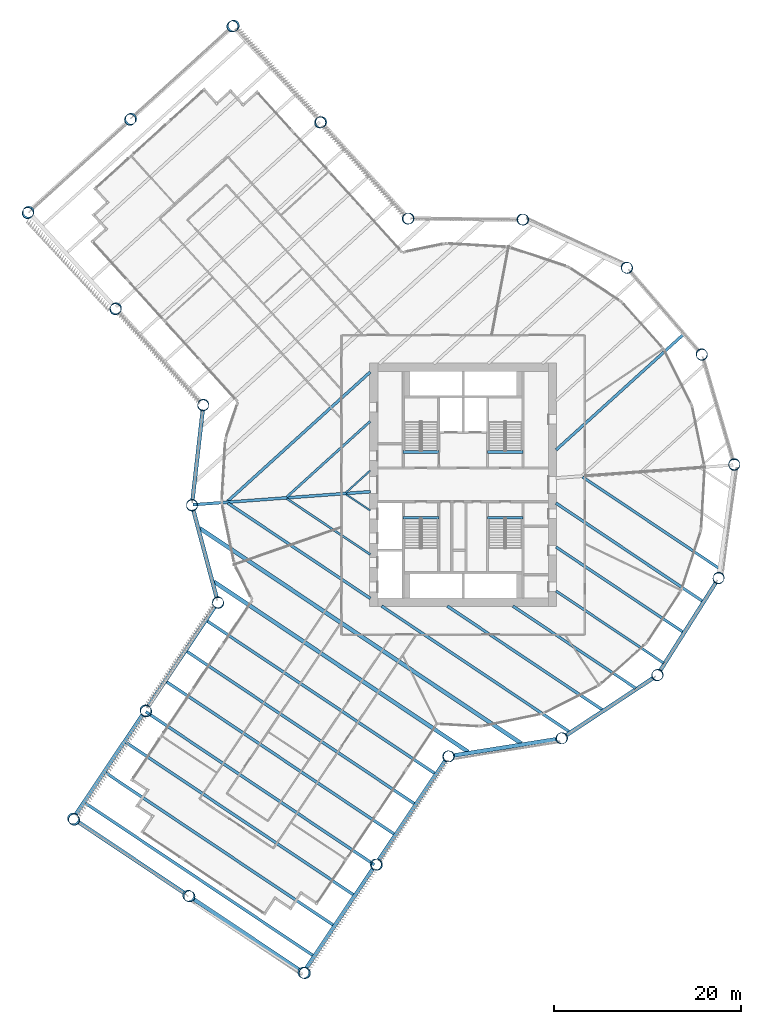
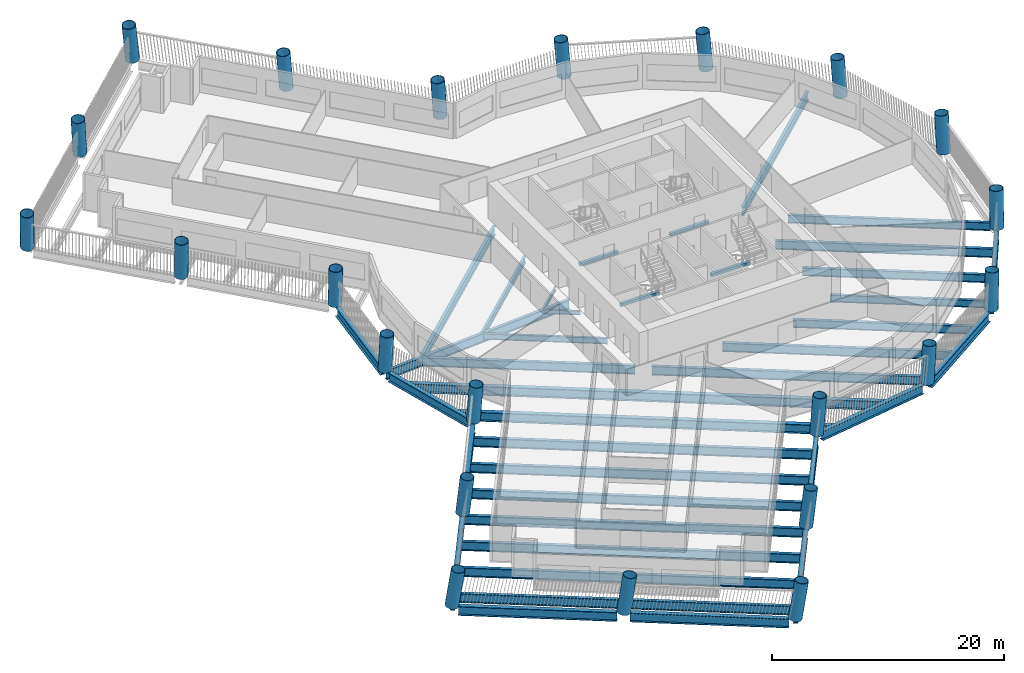
# One storey, part 1 of 15: 39 beams, 22 columns.
"""IFC4 building model written with IfcOpenShell, lengths in metres."""

from ifc_helpers import new_model, si_unit, direction, frame, origin, origin_2d, place, context, subcontext, project, spatial, rectangle, hollow_circle, i_section, extrude, material, material_profile, profile_set, type_object, element, save


model = new_model("IFC4")

# Units and contexts
model_context = context("Model", 3, precision=1e-05, world=origin(), true_north=direction((0.0, 1.0)))
body_context = subcontext(model_context, "Body", "Model", "MODEL_VIEW")
ifc_project = project(units=[si_unit("LENGTHUNIT", "METRE"), si_unit("AREAUNIT", "SQUARE_METRE"), si_unit("VOLUMEUNIT", "CUBIC_METRE"), si_unit("PLANEANGLEUNIT", "RADIAN"), si_unit("MASSUNIT", "GRAM", prefix="KILO")], contexts=[model_context])

# Site, building, storey
site_placement = place(None, origin())
site = spatial("IfcSite", under=ifc_project, at=site_placement, CompositionType="ELEMENT")
building_placement = place(site_placement, origin())
building = spatial("IfcBuilding", under=site, at=building_placement, Name="Tarsis Ring Headquarters", CompositionType="ELEMENT")
storey_placement = place(building_placement, frame((0.0, 0.0, 59.5)))
storey = spatial("IfcBuildingStorey", under=building, at=storey_placement, Name="L12", CompositionType="ELEMENT", Elevation=59.5)

# Columns
ifc_material_1 = material(Name="Structural steel S460", Category="steel")
ifc_material_profile_1 = material_profile(ifc_material_1, hollow_circle(Radius=0.609619140625, WallThickness=0.050048828125, at=origin_2d()), Name="CHS 1219x50")
ifc_profile_set_1 = profile_set([ifc_material_profile_1], Name="Structural steel S460")
column_type = type_object("IfcColumnType", Name="XC Exo column CHS 1219x50", PredefinedType="COLUMN", material=ifc_profile_set_1)
column_1_placement = place(storey_placement, frame((-28.970458984375, -2.12744140625, 0.000732421875), z_axis=(0.00611829829, -0.077540066087, 0.996970463242), x_axis=(0.996901462256, 0.078660501853, 0.0)))
element("IfcColumn", 1, at=column_1_placement, inside=storey, type_object=column_type, Name="Exo column XC1 F1", PredefinedType="COLUMN", context=body_context, shape_type="SweptSolid", body=[
    extrude(hollow_circle(Radius=0.609619140625, WallThickness=0.050048828125, at=origin_2d()), origin(), (0.0, 0.0, 1.0), 3.91064453125),
])
column_2_placement = place(storey_placement, frame((-26.203369140625, -12.537841796875, 0.000732421875), z_axis=(0.033900559908, -0.069923806809, 0.996976134759), x_axis=(0.899823664321, 0.436253794399, 0.0)))
element("IfcColumn", 2, at=column_2_placement, inside=storey, type_object=column_type, Name="Exo column XC1 AK", PredefinedType="COLUMN", context=body_context, shape_type="SweptSolid", body=[
    extrude(hollow_circle(Radius=0.609619140625, WallThickness=0.050048828125, at=origin_2d()), origin(), (0.0, 0.0, 1.0), 3.910400390625),
])
column_3_placement = place(storey_placement, frame((-33.937255859375, -24.09033203125, 0.000732421875), z_axis=(0.064789340242, -0.090244518109, 0.993809975972), x_axis=(0.812330538908, 0.58319730414, 0.0)))
element("IfcColumn", 3, at=column_3_placement, inside=storey, type_object=column_type, Name="Exo column XC1 AI1", PredefinedType="COLUMN", context=body_context, shape_type="SweptSolid", body=[
    extrude(hollow_circle(Radius=0.609619140625, WallThickness=0.050048828125, at=origin_2d()), origin(), (0.0, 0.0, 1.0), 3.922607421875),
])
column_4_placement = place(storey_placement, frame((-41.6708984375, -35.642822265625, 0.0009765625), z_axis=(0.095234234636, -0.110228824605, 0.989333132357), x_axis=(0.756698660833, 0.653763823328, 0.0)))
element("IfcColumn", 4, at=column_4_placement, inside=storey, type_object=column_type, Name="Exo column XC1 AT1", PredefinedType="COLUMN", context=body_context, shape_type="SweptSolid", body=[
    extrude(hollow_circle(Radius=0.609619140625, WallThickness=0.050048828125, at=origin_2d()), origin(), (0.0, 0.0, 1.0), 3.940185546875),
])
column_5_placement = place(storey_placement, frame((-29.372314453125, -43.8759765625, 0.0009765625), z_axis=(0.117072550589, -0.077510957753, 0.990093969948), x_axis=(0.552047554987, 0.833812627053, 0.0)))
element("IfcColumn", 5, at=column_5_placement, inside=storey, type_object=column_type, Name="Exo column XC1 AT2", PredefinedType="COLUMN", context=body_context, shape_type="SweptSolid", body=[
    extrude(hollow_circle(Radius=0.609619140625, WallThickness=0.050048828125, at=origin_2d()), origin(), (0.0, 0.0, 1.0), 3.937255859375),
])
column_6_placement = place(storey_placement, frame((-17.07373046875, -52.109130859375, 0.0009765625), z_axis=(0.138668637265, -0.04467385499, 0.989330710996), x_axis=(0.306642394046, 0.951824795944, 0.0)))
element("IfcColumn", 6, at=column_6_placement, inside=storey, type_object=column_type, Name="Exo column XC1 AT3", PredefinedType="COLUMN", context=body_context, shape_type="SweptSolid", body=[
    extrude(hollow_circle(Radius=0.609619140625, WallThickness=0.050048828125, at=origin_2d()), origin(), (0.0, 0.0, 1.0), 3.940185546875),
])
column_7_placement = place(storey_placement, frame((-9.340087890625, -40.556640625, 0.000732421875), z_axis=(0.108356125009, -0.024335005674, 0.993814247066), x_axis=(0.219125449234, 0.975696693393, 0.0)))
element("IfcColumn", 7, at=column_7_placement, inside=storey, type_object=column_type, Name="Exo column XC1 AO1", PredefinedType="COLUMN", context=body_context, shape_type="SweptSolid", body=[
    extrude(hollow_circle(Radius=0.609619140625, WallThickness=0.050048828125, at=origin_2d()), origin(), (0.0, 0.0, 1.0), 3.922607421875),
])
column_8_placement = place(storey_placement, frame((-1.606201171875, -29.004150390625, 0.000732421875), z_axis=(0.077665048588, -0.003870766087, 0.99697199429), x_axis=(0.049777444331, 0.998760334633, 0.0)))
element("IfcColumn", 8, at=column_8_placement, inside=storey, type_object=column_type, Name="Exo column XC1 AJ", PredefinedType="COLUMN", context=body_context, shape_type="SweptSolid", body=[
    extrude(hollow_circle(Radius=0.609619140625, WallThickness=0.050048828125, at=origin_2d()), origin(), (0.0, 0.0, 1.0), 3.91064453125),
])
column_9_placement = place(storey_placement, frame((10.49169921875, -27.087646484375, 0.000732421875), z_axis=(0.072358376131, 0.028468869298, 0.996972310992), x_axis=(-0.366124308865, 0.930565951697, 0.0)))
element("IfcColumn", 9, at=column_9_placement, inside=storey, type_object=column_type, Name="Exo column XC1 R1", PredefinedType="COLUMN", context=body_context, shape_type="SweptSolid", body=[
    extrude(hollow_circle(Radius=0.609619140625, WallThickness=0.050048828125, at=origin_2d()), origin(), (0.0, 0.0, 1.0), 3.910400390625),
])
column_10_placement = place(storey_placement, frame((20.72412109375, -20.35498046875, 0.000732421875), z_axis=(0.054253026882, 0.055751384356, 0.99696960446), x_axis=(-0.716671723151, 0.697410669001, 0.0)))
element("IfcColumn", 10, at=column_10_placement, inside=storey, type_object=column_type, Name="Exo column XC1 R2", PredefinedType="COLUMN", context=body_context, shape_type="SweptSolid", body=[
    extrude(hollow_circle(Radius=0.609619140625, WallThickness=0.050048828125, at=origin_2d()), origin(), (0.0, 0.0, 1.0), 3.91064453125),
])
column_11_placement = place(storey_placement, frame((27.27197265625, -10.0029296875, 0.000732421875), z_axis=(0.026346287592, 0.073107826469, 0.996975987093), x_axis=(-0.940774702556, 0.339032386404, 0.0)))
element("IfcColumn", 11, at=column_11_placement, inside=storey, type_object=column_type, Name="Exo column XC1 R3", PredefinedType="COLUMN", context=body_context, shape_type="SweptSolid", body=[
    extrude(hollow_circle(Radius=0.609619140625, WallThickness=0.050048828125, at=origin_2d()), origin(), (0.0, 0.0, 1.0), 3.910400390625),
])
for number, where, z_axis, x_axis, name in (
    (12, (28.970458984375, 2.12744140625, 0.000732421875), (-0.00611829829, 0.077540066087, 0.996970463242), (-0.996901462256, -0.078660501853, 0.0), "Exo column XC1 R4"),
    (13, (25.51806640625, 13.879638671875, 0.000732421875), (-0.037521450902, 0.068112983252, 0.996971796108), (-0.8758936542, -0.482504203643, 0.0), "Exo column XC1 R5"),
):
    element("IfcColumn", number, at=place(storey_placement, frame(where, z_axis=z_axis, x_axis=x_axis)), inside=storey, type_object=column_type, Name=name, PredefinedType="COLUMN", context=body_context, shape_type="SweptSolid", body=[
        extrude(hollow_circle(Radius=0.609619140625, WallThickness=0.050048828125, at=origin_2d()), origin(), (0.0, 0.0, 1.0), 3.91064453125),
    ])
column_12_placement = place(storey_placement, frame((17.5283203125, 23.1640625, 0.000732421875), z_axis=(-0.062244519667, 0.046574134074, 0.996973655523), x_axis=(-0.599100167439, -0.800674084366, 0.0)))
element("IfcColumn", 14, at=column_12_placement, inside=storey, type_object=column_type, Name="Exo column XC1 R6", PredefinedType="COLUMN", context=body_context, shape_type="SweptSolid", body=[
    extrude(hollow_circle(Radius=0.609619140625, WallThickness=0.050048828125, at=origin_2d()), origin(), (0.0, 0.0, 1.0), 3.910400390625),
])
for number, where, z_axis, x_axis, name in (
    (15, (6.422119140625, 28.329833984375, 0.000732421875), (-0.075979085879, 0.016794062532, 0.996967972391), (-0.215825939598, -0.976431853125, 0.0), "Exo column XC1 R7"),
    (16, (-5.826171875, 28.458251953125, 0.000732421875), (-0.076104238458, -0.015982514393, 0.996971766964), (0.205524923503, -0.978651881835, 0.0), "Exo column XC1 BJ"),
):
    element("IfcColumn", number, at=place(storey_placement, frame(where, z_axis=z_axis, x_axis=x_axis)), inside=storey, type_object=column_type, Name=name, PredefinedType="COLUMN", context=body_context, shape_type="SweptSolid", body=[
        extrude(hollow_circle(Radius=0.609619140625, WallThickness=0.050048828125, at=origin_2d()), origin(), (0.0, 0.0, 1.0), 3.91064453125),
    ])
column_13_placement = place(storey_placement, frame((-15.16455078125, 38.757080078125, 0.000732421875), z_axis=(-0.103252100046, -0.041014547276, 0.993809242636), x_axis=(0.369168152535, -0.929362617687, 0.0)))
element("IfcColumn", 17, at=column_13_placement, inside=storey, type_object=column_type, Name="Exo column XC1 BO1", PredefinedType="COLUMN", context=body_context, shape_type="SweptSolid", body=[
    extrude(hollow_circle(Radius=0.609619140625, WallThickness=0.050048828125, at=origin_2d()), origin(), (0.0, 0.0, 1.0), 3.922607421875),
])
column_14_placement = place(storey_placement, frame((-24.503173828125, 49.055908203125, 0.0009765625), z_axis=(-0.129932947469, -0.065802951937, 0.989336848944), x_axis=(0.451802294546, -0.892118090077, 0.0)))
element("IfcColumn", 18, at=column_14_placement, inside=storey, type_object=column_type, Name="Exo column XC1 BT3", PredefinedType="COLUMN", context=body_context, shape_type="SweptSolid", body=[
    extrude(hollow_circle(Radius=0.609619140625, WallThickness=0.050048828125, at=origin_2d()), origin(), (0.0, 0.0, 1.0), 3.940185546875),
])
column_15_placement = place(storey_placement, frame((-35.467041015625, 39.114501953125, 0.0009765625), z_axis=(-0.10349274679, -0.094873518627, 0.990095079689), x_axis=(0.67574462811, -0.737135806742, 0.0)))
element("IfcColumn", 19, at=column_15_placement, inside=storey, type_object=column_type, Name="Exo column XC1 BT2", PredefinedType="COLUMN", context=body_context, shape_type="SweptSolid", body=[
    extrude(hollow_circle(Radius=0.609619140625, WallThickness=0.050048828125, at=origin_2d()), origin(), (0.0, 0.0, 1.0), 3.937255859375),
])
column_16_placement = place(storey_placement, frame((-46.430908203125, 29.1728515625, 0.0009765625), z_axis=(-0.076832019436, -0.123736728076, 0.989336172853), x_axis=(0.849548132774, -0.527511108983, 0.0)))
element("IfcColumn", 20, at=column_16_placement, inside=storey, type_object=column_type, Name="Exo column XC1 BT1", PredefinedType="COLUMN", context=body_context, shape_type="SweptSolid", body=[
    extrude(hollow_circle(Radius=0.609619140625, WallThickness=0.050048828125, at=origin_2d()), origin(), (0.0, 0.0, 1.0), 3.940185546875),
])
column_17_placement = place(storey_placement, frame((-37.09228515625, 18.8740234375, 0.000732421875), z_axis=(-0.04985267805, -0.099207451699, 0.993817182393), x_axis=(0.893528500427, -0.449006479825, 0.0)))
element("IfcColumn", 21, at=column_17_placement, inside=storey, type_object=column_type, Name="Exo column XC1 BI1", PredefinedType="COLUMN", context=body_context, shape_type="SweptSolid", body=[
    extrude(hollow_circle(Radius=0.609619140625, WallThickness=0.050048828125, at=origin_2d()), origin(), (0.0, 0.0, 1.0), 3.922607421875),
])
column_18_placement = place(storey_placement, frame((-27.75390625, 8.5751953125, 0.000732421875), z_axis=(-0.022600256157, -0.074418523035, 0.996970968409), x_axis=(0.956848696238, -0.290586600703, 0.0)))
element("IfcColumn", 22, at=column_18_placement, inside=storey, type_object=column_type, Name="Exo column XC1 BK", PredefinedType="COLUMN", context=body_context, shape_type="SweptSolid", body=[
    extrude(hollow_circle(Radius=0.609619140625, WallThickness=0.050048828125, at=origin_2d()), origin(), (0.0, 0.0, 1.0), 3.91064453125),
])

# Beams
ifc_material_2 = material(Name="Structural steel S355", Category="steel")
ifc_material_profile_2 = material_profile(ifc_material_2, i_section(OverallWidth=0.177734375, OverallDepth=0.406494140625, WebThickness=0.0078125, FlangeThickness=0.0126953125, at=origin_2d()), Name="W16x40")
ifc_profile_set_2 = profile_set([ifc_material_profile_2], Name="Structural steel S355")
beam_type_1 = type_object("IfcBeamType", Name="FB Floor beam W16x40", PredefinedType="JOIST", material=ifc_profile_set_2)
beam_1_placement = place(storey_placement, frame((-12.50927734375, -1.01220703125, -0.36328125), z_axis=(0.830989225127, -0.556288511227, 0.0), x_axis=(0.556288511227, 0.830989225127, 0.0)))
element("IfcBeam", 23, at=beam_1_placement, inside=storey, type_object=beam_type_1, Name="Floor beam FB1", PredefinedType="JOIST", context=body_context, shape_type="SweptSolid", body=[
    extrude(i_section(OverallWidth=0.177734375, OverallDepth=0.406494140625, WebThickness=0.0078125, FlangeThickness=0.0126953125, at=origin_2d()), origin(), (0.0, 0.0, 1.0), 3.11962890625),
])
beam_2_placement = place(storey_placement, frame((-9.926025390625, 1.52880859375, -0.36328125), z_axis=(-0.740806073525, -0.671718960153, 0.0), x_axis=(0.671718960153, -0.740806073525, 0.0)))
element("IfcBeam", 24, at=beam_2_placement, inside=storey, type_object=beam_type_1, Name="Floor beam FB1", PredefinedType="JOIST", context=body_context, shape_type="SweptSolid", body=[
    extrude(i_section(OverallWidth=0.177734375, OverallDepth=0.406494140625, WebThickness=0.0078125, FlangeThickness=0.0126953125, at=origin_2d()), origin(), (0.0, 0.0, 1.0), 3.505615234375),
])
ifc_material_profile_3 = material_profile(ifc_material_2, i_section(OverallWidth=0.228271484375, OverallDepth=0.607177734375, WebThickness=0.01123046875, FlangeThickness=0.017333984375, at=origin_2d()), Name="W24x76")
ifc_profile_set_3 = profile_set([ifc_material_profile_3], Name="Structural steel S355")
beam_type_2 = type_object("IfcBeamType", Name="FB Floor beam W24x76", PredefinedType="JOIST", material=ifc_profile_set_3)
beam_3_placement = place(storey_placement, frame((-18.826904296875, -1.47607421875, -0.463623046875), z_axis=(0.830976817718, -0.556307045088, 0.0), x_axis=(0.556307045088, 0.830976817718, 0.0)))
element("IfcBeam", 25, at=beam_3_placement, inside=storey, type_object=beam_type_2, Name="Floor beam FB4", PredefinedType="JOIST", context=body_context, shape_type="SweptSolid", body=[
    extrude(i_section(OverallWidth=0.228271484375, OverallDepth=0.607177734375, WebThickness=0.01123046875, FlangeThickness=0.017333984375, at=origin_2d()), origin(), (0.0, 0.0, 1.0), 10.72216796875),
])
ifc_material_profile_4 = material_profile(ifc_material_2, i_section(OverallWidth=0.2529296875, OverallDepth=0.67822265625, WebThickness=0.01171875, FlangeThickness=0.016357421875, at=origin_2d()), Name="W27x84")
ifc_profile_set_4 = profile_set([ifc_material_profile_4], Name="Structural steel S355")
beam_type_3 = type_object("IfcBeamType", Name="FB Floor beam W27x84", PredefinedType="JOIST", material=ifc_profile_set_4)
beam_4_placement = place(storey_placement, frame((-9.926025390625, 6.79345703125, -0.4990234375), z_axis=(-0.740793222617, -0.67173313252, 0.0), x_axis=(0.67173313252, -0.740793222617, 0.0)))
element("IfcBeam", 26, at=beam_4_placement, inside=storey, type_object=beam_type_3, Name="Floor beam FB5", PredefinedType="JOIST", context=body_context, shape_type="SweptSolid", body=[
    extrude(i_section(OverallWidth=0.2529296875, OverallDepth=0.67822265625, WebThickness=0.01171875, FlangeThickness=0.016357421875, at=origin_2d()), origin(), (0.0, 0.0, 1.0), 12.03369140625),
])
ifc_material_profile_5 = material_profile(ifc_material_2, i_section(OverallWidth=0.2666015625, OverallDepth=0.7568359375, WebThickness=0.013916015625, FlangeThickness=0.019287109375, at=origin_2d()), Name="W30x108")
ifc_profile_set_5 = profile_set([ifc_material_profile_5], Name="Structural steel S355")
beam_type_4 = type_object("IfcBeamType", Name="FB Floor beam W30x108", PredefinedType="JOIST", material=ifc_profile_set_5)
beam_5_placement = place(storey_placement, frame((9.9169921875, -11.33203125, -0.538330078125), z_axis=(0.83098292103, -0.556297928233, 0.0), x_axis=(0.556297928233, 0.83098292103, 0.0)))
element("IfcBeam", 27, at=beam_5_placement, inside=storey, type_object=beam_type_4, Name="Floor beam FB6", PredefinedType="JOIST", context=body_context, shape_type="SweptSolid", body=[
    extrude(i_section(OverallWidth=0.2666015625, OverallDepth=0.7568359375, WebThickness=0.013916015625, FlangeThickness=0.019287109375, at=origin_2d()), origin(), (0.0, 0.0, 1.0), 13.849365234375),
])
ifc_material_profile_6 = material_profile(ifc_material_2, i_section(OverallWidth=0.2919921875, OverallDepth=0.835693359375, WebThickness=0.013916015625, FlangeThickness=0.018798828125, at=origin_2d()), Name="W33x118")
ifc_profile_set_6 = profile_set([ifc_material_profile_6], Name="Structural steel S355")
beam_type_5 = type_object("IfcBeamType", Name="FB Floor beam W33x118", PredefinedType="JOIST", material=ifc_profile_set_6)
beam_6_placement = place(storey_placement, frame((12.76123046875, 0.843505859375, -0.577880859375), z_axis=(0.830986405833, -0.556292722693, 0.0), x_axis=(0.556292722693, 0.830986405833, 0.0)))
element("IfcBeam", 28, at=beam_6_placement, inside=storey, type_object=beam_type_5, Name="Floor beam FB7", PredefinedType="JOIST", context=body_context, shape_type="SweptSolid", body=[
    extrude(i_section(OverallWidth=0.2919921875, OverallDepth=0.835693359375, WebThickness=0.013916015625, FlangeThickness=0.018798828125, at=origin_2d()), origin(), (0.0, 0.0, 1.0), 17.500732421875),
])
beam_7_placement = place(storey_placement, frame((9.9169921875, -6.638671875, -0.577880859375), z_axis=(0.830978816241, -0.556304059808, 0.0), x_axis=(0.556304059808, 0.830978816241, 0.0)))
element("IfcBeam", 29, at=beam_7_placement, inside=storey, type_object=beam_type_5, Name="Floor beam FB7", PredefinedType="JOIST", context=body_context, shape_type="SweptSolid", body=[
    extrude(i_section(OverallWidth=0.2919921875, OverallDepth=0.835693359375, WebThickness=0.013916015625, FlangeThickness=0.018798828125, at=origin_2d()), origin(), (0.0, 0.0, 1.0), 16.359130859375),
])
beam_8_placement = place(storey_placement, frame((5.314697265625, -12.9443359375, -0.577880859375), z_axis=(0.830982403042, -0.556298701988, 0.0), x_axis=(0.556298701988, 0.830982403042, 0.0)))
element("IfcBeam", 30, at=beam_8_placement, inside=storey, type_object=beam_type_5, Name="Floor beam FB7", PredefinedType="JOIST", context=body_context, shape_type="SweptSolid", body=[
    extrude(i_section(OverallWidth=0.2919921875, OverallDepth=0.835693359375, WebThickness=0.013916015625, FlangeThickness=0.018798828125, at=origin_2d()), origin(), (0.0, 0.0, 1.0), 15.77978515625),
])
ifc_material_profile_7 = material_profile(ifc_material_2, i_section(OverallWidth=0.3046875, OverallDepth=0.904296875, WebThickness=0.01513671875, FlangeThickness=0.02001953125, at=origin_2d()), Name="W36x135")
ifc_profile_set_7 = profile_set([ifc_material_profile_7], Name="Structural steel S355")
beam_type_6 = type_object("IfcBeamType", Name="FB Floor beam W36x135", PredefinedType="JOIST", material=ifc_profile_set_7)
beam_9_placement = place(storey_placement, frame((9.9169921875, -1.945556640625, -0.612060546875), z_axis=(0.830981784748, -0.556299625577, 0.0), x_axis=(0.556299625577, 0.830981784748, 0.0)))
element("IfcBeam", 31, at=beam_9_placement, inside=storey, type_object=beam_type_6, Name="Floor beam FB8", PredefinedType="JOIST", context=body_context, shape_type="SweptSolid", body=[
    extrude(i_section(OverallWidth=0.3046875, OverallDepth=0.904296875, WebThickness=0.01513671875, FlangeThickness=0.02001953125, at=origin_2d()), origin(), (0.0, 0.0, 1.0), 18.86865234375),
])
beam_10_placement = place(storey_placement, frame((-1.69580078125, -12.9443359375, -0.612060546875), z_axis=(0.830983757617, -0.55629667856, 0.0), x_axis=(0.55629667856, 0.830983757617, 0.0)))
element("IfcBeam", 32, at=beam_10_placement, inside=storey, type_object=beam_type_6, Name="Floor beam FB8", PredefinedType="JOIST", context=body_context, shape_type="SweptSolid", body=[
    extrude(i_section(OverallWidth=0.3046875, OverallDepth=0.904296875, WebThickness=0.01513671875, FlangeThickness=0.02001953125, at=origin_2d()), origin(), (0.0, 0.0, 1.0), 19.96142578125),
])
beam_11_placement = place(storey_placement, frame((-25.14453125, -1.940185546875, -0.612060546875), z_axis=(0.830987023292, -0.556291800336, 0.0), x_axis=(0.556291800336, 0.830987023292, 0.0)))
element("IfcBeam", 33, at=beam_11_placement, inside=storey, type_object=beam_type_6, Name="Floor beam FB8", PredefinedType="JOIST", context=body_context, shape_type="SweptSolid", body=[
    extrude(i_section(OverallWidth=0.3046875, OverallDepth=0.904296875, WebThickness=0.01513671875, FlangeThickness=0.02001953125, at=origin_2d()), origin(), (0.0, 0.0, 1.0), 18.32470703125),
])
beam_12_placement = place(storey_placement, frame((23.50439453125, 16.0478515625, -0.612060546875), z_axis=(-0.740807354032, -0.671717547941, 0.0), x_axis=(0.671717547941, -0.740807354032, 0.0)))
element("IfcBeam", 34, at=beam_12_placement, inside=storey, type_object=beam_type_6, Name="Floor beam FB8", PredefinedType="JOIST", context=body_context, shape_type="SweptSolid", body=[
    extrude(i_section(OverallWidth=0.3046875, OverallDepth=0.904296875, WebThickness=0.01513671875, FlangeThickness=0.02001953125, at=origin_2d()), origin(), (0.0, 0.0, 1.0), 18.3291015625),
])
beam_13_placement = place(storey_placement, frame((-9.926025390625, 12.057861328125, -0.612060546875), z_axis=(-0.740802848509, -0.671722516848, 0.0), x_axis=(0.671722516848, -0.740802848509, 0.0)))
element("IfcBeam", 35, at=beam_13_placement, inside=storey, type_object=beam_type_6, Name="Floor beam FB8", PredefinedType="JOIST", context=body_context, shape_type="SweptSolid", body=[
    extrude(i_section(OverallWidth=0.3046875, OverallDepth=0.904296875, WebThickness=0.01513671875, FlangeThickness=0.02001953125, at=origin_2d()), origin(), (0.0, 0.0, 1.0), 20.561767578125),
])
ifc_material_profile_8 = material_profile(ifc_material_2, i_section(OverallWidth=0.3046875, OverallDepth=0.91943359375, WebThickness=0.017333984375, FlangeThickness=0.02783203125, at=origin_2d()), Name="W36x170")
ifc_profile_set_8 = profile_set([ifc_material_profile_8], Name="Structural steel S355")
beam_type_7 = type_object("IfcBeamType", Name="FB Floor beam W36x170", PredefinedType="JOIST", material=ifc_profile_set_8)
beam_14_placement = place(storey_placement, frame((-8.70654296875, -12.9443359375, -0.61962890625), z_axis=(0.830983097743, -0.556297664263, 0.0), x_axis=(0.556297664263, 0.830983097743, 0.0)))
element("IfcBeam", 36, at=beam_14_placement, inside=storey, type_object=beam_type_7, Name="Floor beam FB9", PredefinedType="JOIST", context=body_context, shape_type="SweptSolid", body=[
    extrude(i_section(OverallWidth=0.3046875, OverallDepth=0.91943359375, WebThickness=0.017333984375, FlangeThickness=0.02783203125, at=origin_2d()), origin(), (0.0, 0.0, 1.0), 24.143310546875),
])
ifc_material_profile_9 = material_profile(ifc_material_2, i_section(OverallWidth=0.309814453125, OverallDepth=0.949951171875, WebThickness=0.0244140625, FlangeThickness=0.0439453125, at=origin_2d()), Name="W36x256")
ifc_profile_set_9 = profile_set([ifc_material_profile_9], Name="Structural steel S355")
beam_type_8 = type_object("IfcBeamType", Name="FB Floor beam W36x256", PredefinedType="JOIST", material=ifc_profile_set_9)
beam_15_placement = place(storey_placement, frame((-27.392333984375, -14.51513671875, -0.635009765625), z_axis=(0.830986245817, -0.556292961723, 0.0), x_axis=(0.556292961723, 0.830986245817, 0.0)))
element("IfcBeam", 37, at=beam_15_placement, inside=storey, type_object=beam_type_8, Name="Floor beam FB11", PredefinedType="JOIST", context=body_context, shape_type="SweptSolid", body=[
    extrude(i_section(OverallWidth=0.309814453125, OverallDepth=0.949951171875, WebThickness=0.0244140625, FlangeThickness=0.0439453125, at=origin_2d()), origin(), (0.0, 0.0, 1.0), 29.375732421875),
])
beam_16_placement = place(storey_placement, frame((-29.561767578125, -17.755859375, -0.635009765625), z_axis=(0.830983673871, -0.556296803658, 0.0), x_axis=(0.556296803658, 0.830983673871, 0.0)))
element("IfcBeam", 38, at=beam_16_placement, inside=storey, type_object=beam_type_8, Name="Floor beam FB11", PredefinedType="JOIST", context=body_context, shape_type="SweptSolid", body=[
    extrude(i_section(OverallWidth=0.309814453125, OverallDepth=0.949951171875, WebThickness=0.0244140625, FlangeThickness=0.0439453125, at=origin_2d()), origin(), (0.0, 0.0, 1.0), 29.37548828125),
])
for number, where, z_axis, x_axis, name in (
    (39, (-31.7314453125, -20.996826171875, -0.635009765625), (0.830986245817, -0.556292961723, 0.0), (0.556292961723, 0.830986245817, 0.0), "Floor beam FB11"),
    (40, (-33.90087890625, -24.237548828125, -0.635009765625), (0.830986245817, -0.556292961723, 0.0), (0.556292961723, 0.830986245817, 0.0), "Floor beam FB11"),
    (41, (-36.070556640625, -27.478515625, -0.635009765625), (0.830986245817, -0.556292961723, 0.0), (0.556292961723, 0.830986245817, 0.0), "Floor beam FB11"),
    (42, (-38.239990234375, -30.71923828125, -0.635009765625), (0.830986245817, -0.556292961723, 0.0), (0.556292961723, 0.830986245817, 0.0), "Floor beam FB11"),
    (43, (-40.40966796875, -33.960205078125, -0.635009765625), (0.830986245817, -0.556292961723, 0.0), (0.556292961723, 0.830986245817, 0.0), "Floor beam FB11"),
):
    element("IfcBeam", number, at=place(storey_placement, frame(where, z_axis=z_axis, x_axis=x_axis)), inside=storey, type_object=beam_type_8, Name=name, PredefinedType="JOIST", context=body_context, shape_type="SweptSolid", body=[
        extrude(i_section(OverallWidth=0.309814453125, OverallDepth=0.949951171875, WebThickness=0.0244140625, FlangeThickness=0.0439453125, at=origin_2d()), origin(), (0.0, 0.0, 1.0), 29.375732421875),
    ])
beam_type_9 = type_object("IfcBeamType", Name="FB Floor beam W36x256 spine", PredefinedType="BEAM", material=ifc_profile_set_9)
beam_17_placement = place(storey_placement, frame((-9.900390625, -0.72705078125, -0.635009765625), z_axis=(-0.997314832188, -0.07323336328, 0.0), x_axis=(0.07323336328, -0.997314832188, 0.0)))
element("IfcBeam", 44, at=beam_17_placement, inside=storey, type_object=beam_type_9, Name="Floor beam SB11", PredefinedType="BEAM", context=body_context, shape_type="SweptSolid", body=[
    extrude(i_section(OverallWidth=0.309814453125, OverallDepth=0.949951171875, WebThickness=0.0244140625, FlangeThickness=0.0439453125, at=origin_2d()), origin(), (0.0, 0.0, 1.0), 19.005615234375),
])
ifc_material_profile_10 = material_profile(ifc_material_2, i_section(OverallWidth=0.42431640625, OverallDepth=0.947509765625, WebThickness=0.02392578125, FlangeThickness=0.042724609375, at=origin_2d()), Name="W36x302")
ifc_profile_set_10 = profile_set([ifc_material_profile_10], Name="Structural steel S355")
beam_type_10 = type_object("IfcBeamType", Name="FB Floor beam W36x302", PredefinedType="JOIST", material=ifc_profile_set_10)
beam_18_placement = place(storey_placement, frame((-28.157958984375, -4.615966796875, -0.6337890625), z_axis=(0.83098335091, -0.556297286089, 0.0), x_axis=(0.556297286089, 0.83098335091, 0.0)))
element("IfcBeam", 45, at=beam_18_placement, inside=storey, type_object=beam_type_10, Name="Floor beam FB12", PredefinedType="JOIST", context=body_context, shape_type="SweptSolid", body=[
    extrude(i_section(OverallWidth=0.42431640625, OverallDepth=0.947509765625, WebThickness=0.02392578125, FlangeThickness=0.042724609375, at=origin_2d()), origin(), (0.0, 0.0, 1.0), 41.35302734375),
])
beam_19_placement = place(storey_placement, frame((-26.640380859375, -10.3251953125, -0.6337890625), z_axis=(0.830985284795, -0.556294397288, 0.0), x_axis=(0.556294397288, 0.830985284795, 0.0)))
element("IfcBeam", 46, at=beam_19_placement, inside=storey, type_object=beam_type_10, Name="Floor beam FB12", PredefinedType="JOIST", context=body_context, shape_type="SweptSolid", body=[
    extrude(i_section(OverallWidth=0.42431640625, OverallDepth=0.947509765625, WebThickness=0.02392578125, FlangeThickness=0.042724609375, at=origin_2d()), origin(), (0.0, 0.0, 1.0), 32.70458984375),
])
ifc_material_3 = material(Name="Concrete C40/50", Category="concrete")
ifc_material_profile_11 = material_profile(ifc_material_3, rectangle(XDim=0.300048828125, YDim=0.300048828125, at=origin_2d()), Name="Stair head beam 300x300 C40/50")
ifc_profile_set_11 = profile_set([ifc_material_profile_11], Name="Concrete C40/50")
beam_type_11 = type_object("IfcBeamType", Name="Stair head beam 300x300 C40/50", PredefinedType="BEAM", material=ifc_profile_set_11)
for number, where, z_axis, x_axis, name in (
    (47, (-6.39990234375, 3.510009765625, -0.31005859375), (1.0, 0.0, 0.0), (0.0, 1.0, 0.0), "Stair head beam L12 Firefighting stair"),
    (48, (2.60009765625, 3.510009765625, -0.31005859375), (1.0, 0.0, 0.0), (0.0, 1.0, 0.0), "Stair head beam L12 Exit stair B"),
    (49, (-6.39990234375, -3.510009765625, -0.31005859375), (1.0, 0.0, 0.0), (0.0, 1.0, 0.0), "Stair head beam L12 Exit stair C"),
    (50, (2.60009765625, -3.510009765625, -0.31005859375), (1.0, 0.0, 0.0), (0.0, 1.0, 0.0), "Stair head beam L12 Exit stair D"),
):
    element("IfcBeam", number, at=place(storey_placement, frame(where, z_axis=z_axis, x_axis=x_axis)), inside=storey, type_object=beam_type_11, Name=name, PredefinedType="BEAM", context=body_context, shape_type="SweptSolid", body=[
        extrude(rectangle(XDim=0.300048828125, YDim=0.300048828125, at=origin_2d()), origin(), (0.0, 0.0, 1.0), 3.7998046875),
    ])
beam_type_12 = type_object("IfcBeamType", Name="XG Ring girder W36x302", PredefinedType="BEAM", material=ifc_profile_set_10)
beam_20_placement = place(storey_placement, frame((-28.82958984375, -2.65771484375, -0.4736328125), z_axis=(0.256872514162, -0.966445296676, 0.0), x_axis=(0.966445296676, 0.256872514162, 0.0)))
element("IfcBeam", 51, at=beam_20_placement, inside=storey, type_object=beam_type_12, Name="Ring girder XG1", PredefinedType="BEAM", context=body_context, shape_type="SweptSolid", body=[
    extrude(i_section(OverallWidth=0.42431640625, OverallDepth=0.947509765625, WebThickness=0.02392578125, FlangeThickness=0.042724609375, at=origin_2d()), origin(), (0.0, 0.0, 1.0), 9.674560546875),
])
for number, where, z_axis, x_axis, name in (
    (52, (-26.5087890625, -12.99365234375, -0.4736328125), (-0.556296340417, -0.830983983985, 0.0), (0.830983983985, -0.556296340417, 0.0), "Ring girder XG1"),
    (53, (-34.242431640625, -24.546142578125, -0.4736328125), (-0.5562875267, -0.830989884197, 0.0), (0.830989884197, -0.5562875267, 0.0), "Ring girder XG1"),
):
    element("IfcBeam", number, at=place(storey_placement, frame(where, z_axis=z_axis, x_axis=x_axis)), inside=storey, type_object=beam_type_12, Name=name, PredefinedType="BEAM", context=body_context, shape_type="SweptSolid", body=[
        extrude(i_section(OverallWidth=0.42431640625, OverallDepth=0.947509765625, WebThickness=0.02392578125, FlangeThickness=0.042724609375, at=origin_2d()), origin(), (0.0, 0.0, 1.0), 12.804931640625),
    ])
for number, where, z_axis, x_axis, name in (
    (54, (-41.215087890625, -35.947998046875, -0.4736328125), (0.83098248125, -0.556298585164, 0.0), (0.556298585164, 0.83098248125, 0.0), "Ring girder XG1"),
    (55, (-28.91650390625, -44.18115234375, -0.4736328125), (0.83098248125, -0.556298585164, 0.0), (0.556298585164, 0.83098248125, 0.0), "Ring girder XG1"),
):
    element("IfcBeam", number, at=place(storey_placement, frame(where, z_axis=z_axis, x_axis=x_axis)), inside=storey, type_object=beam_type_12, Name=name, PredefinedType="BEAM", context=body_context, shape_type="SweptSolid", body=[
        extrude(i_section(OverallWidth=0.42431640625, OverallDepth=0.947509765625, WebThickness=0.02392578125, FlangeThickness=0.042724609375, at=origin_2d()), origin(), (0.0, 0.0, 1.0), 13.70263671875),
    ])
for number, where, z_axis, x_axis, name in (
    (56, (-16.7685546875, -51.6533203125, -0.4736328125), (0.5562875267, 0.830989884197, 0.0), (-0.830989884197, 0.5562875267, 0.0), "Ring girder XG1"),
    (57, (-9.034912109375, -40.1005859375, -0.4736328125), (0.556296340417, 0.830983983985, 0.0), (-0.830983983985, 0.556296340417, 0.0), "Ring girder XG1"),
):
    element("IfcBeam", number, at=place(storey_placement, frame(where, z_axis=z_axis, x_axis=x_axis)), inside=storey, type_object=beam_type_12, Name=name, PredefinedType="BEAM", context=body_context, shape_type="SweptSolid", body=[
        extrude(i_section(OverallWidth=0.42431640625, OverallDepth=0.947509765625, WebThickness=0.02392578125, FlangeThickness=0.042724609375, at=origin_2d()), origin(), (0.0, 0.0, 1.0), 12.804931640625),
    ])
beam_21_placement = place(storey_placement, frame((-1.064453125, -28.918212890625, -0.4736328125), z_axis=(0.987686160843, 0.156448226834, 0.0), x_axis=(-0.156448226834, 0.987686160843, 0.0)))
element("IfcBeam", 58, at=beam_21_placement, inside=storey, type_object=beam_type_12, Name="Ring girder XG1", PredefinedType="BEAM", context=body_context, shape_type="SweptSolid", body=[
    extrude(i_section(OverallWidth=0.42431640625, OverallDepth=0.947509765625, WebThickness=0.02392578125, FlangeThickness=0.042724609375, at=origin_2d()), origin(), (0.0, 0.0, 1.0), 11.1513671875),
])
beam_22_placement = place(storey_placement, frame((10.949951171875, -26.7861328125, -0.4736328125), z_axis=(0.835386395011, 0.549663143235, 0.0), x_axis=(-0.549663143235, 0.835386395011, 0.0)))
element("IfcBeam", 59, at=beam_22_placement, inside=storey, type_object=beam_type_12, Name="Ring girder XG1", PredefinedType="BEAM", context=body_context, shape_type="SweptSolid", body=[
    extrude(i_section(OverallWidth=0.42431640625, OverallDepth=0.947509765625, WebThickness=0.02392578125, FlangeThickness=0.042724609375, at=origin_2d()), origin(), (0.0, 0.0, 1.0), 11.151611328125),
])
beam_23_placement = place(storey_placement, frame((21.017578125, -19.891357421875, -0.4736328125), z_axis=(0.534543111654, 0.845141208191, 0.0), x_axis=(-0.845141208191, 0.534543111654, 0.0)))
element("IfcBeam", 60, at=beam_23_placement, inside=storey, type_object=beam_type_12, Name="Ring girder XG1", PredefinedType="BEAM", context=body_context, shape_type="SweptSolid", body=[
    extrude(i_section(OverallWidth=0.42431640625, OverallDepth=0.947509765625, WebThickness=0.02392578125, FlangeThickness=0.042724609375, at=origin_2d()), origin(), (0.0, 0.0, 1.0), 11.1513671875),
])
beam_24_placement = place(storey_placement, frame((-27.81591796875, 8.0302734375, -0.4736328125), z_axis=(-0.112929505916, -0.993603002559, 0.0), x_axis=(0.993603002559, -0.112929505916, 0.0)))
element("IfcBeam", 61, at=beam_24_placement, inside=storey, type_object=beam_type_12, Name="Ring girder XG1", PredefinedType="BEAM", context=body_context, shape_type="SweptSolid", body=[
    extrude(i_section(OverallWidth=0.42431640625, OverallDepth=0.947509765625, WebThickness=0.02392578125, FlangeThickness=0.042724609375, at=origin_2d()), origin(), (0.0, 0.0, 1.0), 9.67431640625),
])

save(model, "model.ifc")
